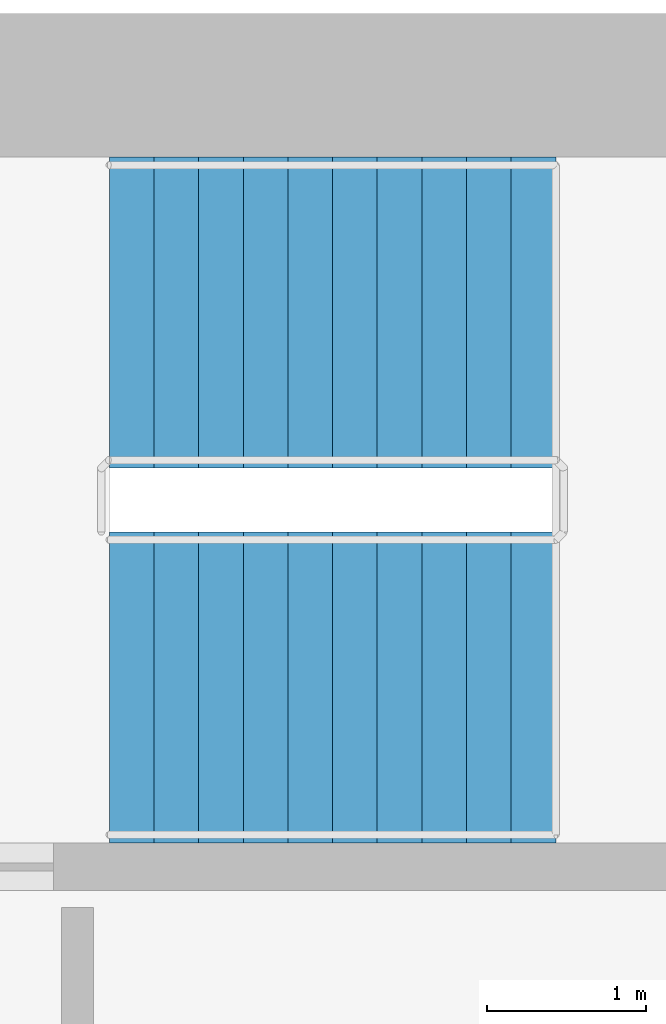
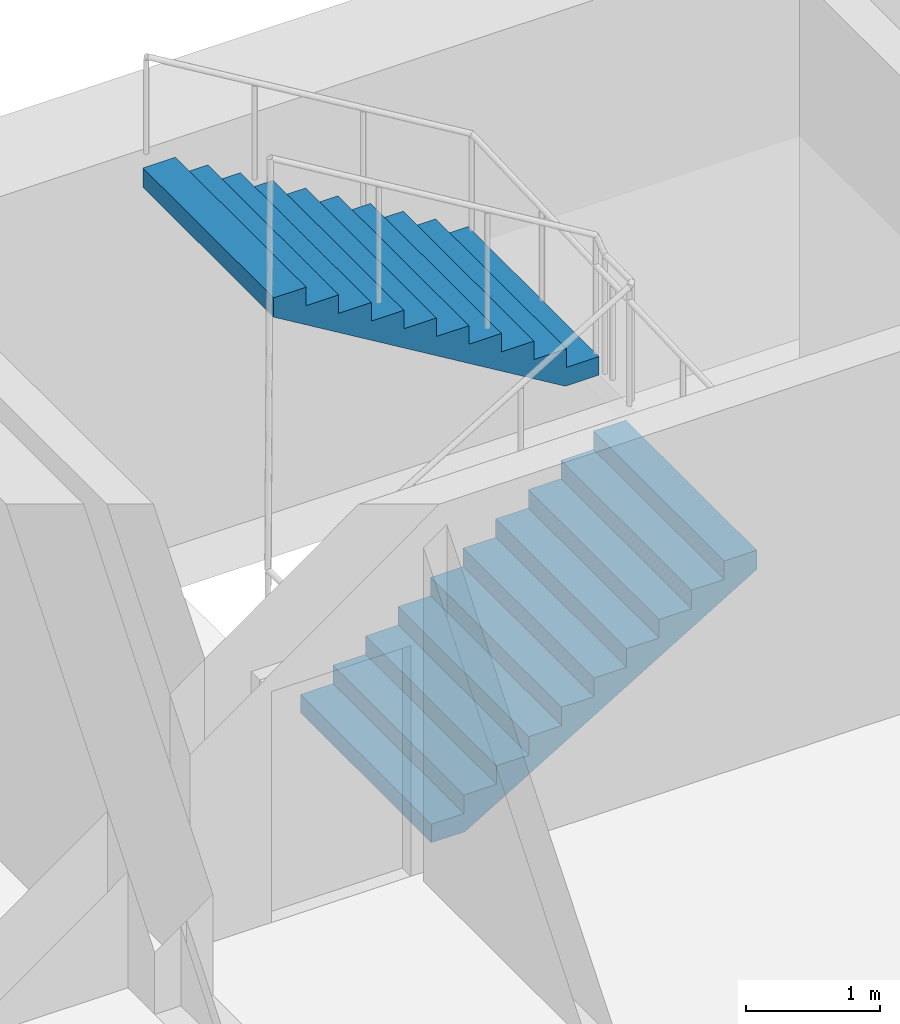
# One storey, part 13 of 18: 2 stair flights, 1 element without a shape of its own.
"""IFC4 building model written with IfcOpenShell, lengths in metres."""

from ifc_helpers import new_model, si_unit, direction, frame, origin, place, context, subcontext, project, spatial, polyline, outline, extrude, material, type_object, element, aggregate, save


model = new_model("IFC4")

# Units and contexts
model_context = context("Model", 3, precision=1e-05, world=origin(), true_north=direction((0.0, 1.0)))
body_context = subcontext(model_context, "Body", "Model", "MODEL_VIEW")
ifc_project = project(units=[si_unit("LENGTHUNIT", "METRE"), si_unit("AREAUNIT", "SQUARE_METRE"), si_unit("VOLUMEUNIT", "CUBIC_METRE"), si_unit("PLANEANGLEUNIT", "RADIAN"), si_unit("MASSUNIT", "GRAM", prefix="KILO")], contexts=[model_context])

# Site, building, storey
site_placement = place(None, origin())
site = spatial("IfcSite", under=ifc_project, at=site_placement, CompositionType="ELEMENT")
building_placement = place(site_placement, origin())
building = spatial("IfcBuilding", under=site, at=building_placement, Name="Hunhe Ridgeline Campus", CompositionType="ELEMENT")
storey_placement = place(building_placement, frame((0.0, 0.0, 182.800048828125)))
storey = spatial("IfcBuildingStorey", under=building, at=storey_placement, Name="L46", CompositionType="ELEMENT", Elevation=182.800048828125)

# Stair, stair flights
ifc_material = material(Name="Concrete C40", Category="concrete")
stair_type = type_object("IfcStairType", Name="Reinforced concrete dog-leg stair 1950 Concrete C40", PredefinedType="HALF_TURN_STAIR", material=ifc_material)
stair_placement = place(storey_placement, origin())
stair = element("IfcStair", 1, at=stair_placement, inside=storey, type_object=stair_type, Name="L46 E1", PredefinedType="HALF_TURN_STAIR")
stair_flight_type = type_object("IfcStairFlightType", Name="Reinforced concrete stair flight 1950 Concrete C40", PredefinedType="STRAIGHT", material=ifc_material)
stair_flight_1_placement = place(storey_placement, frame((38.39990234375, 94.77490234375, 0.0), z_axis=(0.0, 0.0, 1.0), x_axis=(1.0, 0.0, 0.0)))
stair_flight_1 = element("IfcStairFlight", 2, at=stair_flight_1_placement, type_object=stair_flight_type, Name="ST5 flight 1", NumberOfRisers=11, NumberOfTreads=10, PredefinedType="STRAIGHT", RiserHeight=0.168181818, TreadLength=0.28, context=body_context, shape_type="SweptSolid", body=[
    extrude(outline(polyline([(0.0, 0.0), (0.0, 0.168212890625), (0.280029296875, 0.168212890625), (0.280029296875, 0.33642578125), (0.56005859375, 0.33642578125), (0.56005859375, 0.504638671875), (0.840087890625, 0.504638671875), (0.840087890625, 0.672607421875), (1.1201171875, 0.672607421875), (1.1201171875, 0.8408203125), (1.39990234375, 0.8408203125), (1.39990234375, 1.009033203125), (1.679931640625, 1.009033203125), (1.679931640625, 1.17724609375), (1.9599609375, 1.17724609375), (1.9599609375, 1.345458984375), (2.239990234375, 1.345458984375), (2.239990234375, 1.513671875), (2.52001953125, 1.513671875), (2.52001953125, 1.681884765625), (2.800048828125, 1.681884765625), (2.800048828125, 1.85009765625), (2.800048828125, 1.5068359375), (0.291015625, 0.0), (0.0, 0.0)])), frame((0.0, 0.97509765625, 0.0), z_axis=(0.0, -1.0, 0.0), x_axis=(1.0, 0.0, 0.0)), (0.0, 0.0, 1.0), 1.949951171875),
    extrude(outline(polyline([(0.030029296875, 0.030029296875), (0.030029296875, 0.13818359375), (0.31005859375, 0.13818359375), (0.31005859375, 0.306396484375), (0.590087890625, 0.306396484375), (0.590087890625, 0.474609375), (0.8701171875, 0.474609375), (0.8701171875, 0.642578125), (1.14990234375, 0.642578125), (1.14990234375, 0.810791015625), (1.429931640625, 0.810791015625), (1.429931640625, 0.97900390625), (1.7099609375, 0.97900390625), (1.7099609375, 1.147216796875), (1.989990234375, 1.147216796875), (1.989990234375, 1.3154296875), (2.27001953125, 1.3154296875), (2.27001953125, 1.483642578125), (2.550048828125, 1.483642578125), (2.550048828125, 1.65185546875), (2.77001953125, 1.65185546875), (2.77001953125, 1.52392578125), (0.28271484375, 0.030029296875), (0.030029296875, 0.030029296875)])), frame((0.0, -0.070068359375, 0.0), z_axis=(0.0, -1.0, 0.0), x_axis=(1.0, 0.0, 0.0)), (0.0, 0.0, 1.0), 0.019775390625),
    extrude(outline(polyline([(0.030029296875, 0.030029296875), (0.030029296875, 0.13818359375), (0.31005859375, 0.13818359375), (0.31005859375, 0.306396484375), (0.590087890625, 0.306396484375), (0.590087890625, 0.474609375), (0.8701171875, 0.474609375), (0.8701171875, 0.642578125), (1.14990234375, 0.642578125), (1.14990234375, 0.810791015625), (1.429931640625, 0.810791015625), (1.429931640625, 0.97900390625), (1.7099609375, 0.97900390625), (1.7099609375, 1.147216796875), (1.989990234375, 1.147216796875), (1.989990234375, 1.3154296875), (2.27001953125, 1.3154296875), (2.27001953125, 1.483642578125), (2.550048828125, 1.483642578125), (2.550048828125, 1.65185546875), (2.77001953125, 1.65185546875), (2.77001953125, 1.52392578125), (0.28271484375, 0.030029296875), (0.030029296875, 0.030029296875)])), frame((0.0, 0.010009765625, 0.0), z_axis=(0.0, -1.0, 0.0), x_axis=(1.0, 0.0, 0.0)), (0.0, 0.0, 1.0), 0.019775390625),
    extrude(outline(polyline([(0.030029296875, 0.030029296875), (0.030029296875, 0.13818359375), (0.31005859375, 0.13818359375), (0.31005859375, 0.306396484375), (0.590087890625, 0.306396484375), (0.590087890625, 0.474609375), (0.8701171875, 0.474609375), (0.8701171875, 0.642578125), (1.14990234375, 0.642578125), (1.14990234375, 0.810791015625), (1.429931640625, 0.810791015625), (1.429931640625, 0.97900390625), (1.7099609375, 0.97900390625), (1.7099609375, 1.147216796875), (1.989990234375, 1.147216796875), (1.989990234375, 1.3154296875), (2.27001953125, 1.3154296875), (2.27001953125, 1.483642578125), (2.550048828125, 1.483642578125), (2.550048828125, 1.65185546875), (2.77001953125, 1.65185546875), (2.77001953125, 1.52392578125), (0.28271484375, 0.030029296875), (0.030029296875, 0.030029296875)])), frame((0.0, 0.090087890625, 0.0), z_axis=(0.0, -1.0, 0.0), x_axis=(1.0, 0.0, 0.0)), (0.0, 0.0, 1.0), 0.019775390625),
])
stair_flight_2_placement = place(storey_placement, frame((41.199951171875, 97.125, 1.849853515625), z_axis=(0.0, 0.0, 1.0), x_axis=(-1.0, 0.0, 0.0)))
stair_flight_2 = element("IfcStairFlight", 3, at=stair_flight_2_placement, type_object=stair_flight_type, Name="ST5 flight 2", NumberOfRisers=11, NumberOfTreads=10, PredefinedType="STRAIGHT", RiserHeight=0.168181818, TreadLength=0.28, context=body_context, shape_type="SweptSolid", body=[
    extrude(outline(polyline([(0.0, 0.0), (0.0, 0.168212890625), (0.280029296875, 0.168212890625), (0.280029296875, 0.33642578125), (0.56005859375, 0.33642578125), (0.56005859375, 0.504638671875), (0.840087890625, 0.504638671875), (0.840087890625, 0.672607421875), (1.1201171875, 0.672607421875), (1.1201171875, 0.8408203125), (1.39990234375, 0.8408203125), (1.39990234375, 1.009033203125), (1.679931640625, 1.009033203125), (1.679931640625, 1.17724609375), (1.9599609375, 1.17724609375), (1.9599609375, 1.345458984375), (2.239990234375, 1.345458984375), (2.239990234375, 1.513671875), (2.52001953125, 1.513671875), (2.52001953125, 1.681884765625), (2.800048828125, 1.681884765625), (2.800048828125, 1.85009765625), (2.800048828125, 1.5068359375), (0.291015625, 0.0), (0.0, 0.0)])), frame((0.0, 0.97509765625, 0.0), z_axis=(0.0, -1.0, 0.0), x_axis=(1.0, 0.0, 0.0)), (0.0, 0.0, 1.0), 1.949951171875),
    extrude(outline(polyline([(0.030029296875, 0.030029296875), (0.030029296875, 0.13818359375), (0.31005859375, 0.13818359375), (0.31005859375, 0.306396484375), (0.590087890625, 0.306396484375), (0.590087890625, 0.474609375), (0.8701171875, 0.474609375), (0.8701171875, 0.642578125), (1.14990234375, 0.642578125), (1.14990234375, 0.810791015625), (1.429931640625, 0.810791015625), (1.429931640625, 0.97900390625), (1.7099609375, 0.97900390625), (1.7099609375, 1.147216796875), (1.989990234375, 1.147216796875), (1.989990234375, 1.3154296875), (2.27001953125, 1.3154296875), (2.27001953125, 1.483642578125), (2.550048828125, 1.483642578125), (2.550048828125, 1.65185546875), (2.77001953125, 1.65185546875), (2.77001953125, 1.52392578125), (0.28271484375, 0.030029296875), (0.030029296875, 0.030029296875)])), frame((0.0, -0.070068359375, 0.0), z_axis=(0.0, -1.0, 0.0), x_axis=(1.0, 0.0, 0.0)), (0.0, 0.0, 1.0), 0.019775390625),
    extrude(outline(polyline([(0.030029296875, 0.030029296875), (0.030029296875, 0.13818359375), (0.31005859375, 0.13818359375), (0.31005859375, 0.306396484375), (0.590087890625, 0.306396484375), (0.590087890625, 0.474609375), (0.8701171875, 0.474609375), (0.8701171875, 0.642578125), (1.14990234375, 0.642578125), (1.14990234375, 0.810791015625), (1.429931640625, 0.810791015625), (1.429931640625, 0.97900390625), (1.7099609375, 0.97900390625), (1.7099609375, 1.147216796875), (1.989990234375, 1.147216796875), (1.989990234375, 1.3154296875), (2.27001953125, 1.3154296875), (2.27001953125, 1.483642578125), (2.550048828125, 1.483642578125), (2.550048828125, 1.65185546875), (2.77001953125, 1.65185546875), (2.77001953125, 1.52392578125), (0.28271484375, 0.030029296875), (0.030029296875, 0.030029296875)])), frame((0.0, 0.010009765625, 0.0), z_axis=(0.0, -1.0, 0.0), x_axis=(1.0, 0.0, 0.0)), (0.0, 0.0, 1.0), 0.019775390625),
    extrude(outline(polyline([(0.030029296875, 0.030029296875), (0.030029296875, 0.13818359375), (0.31005859375, 0.13818359375), (0.31005859375, 0.306396484375), (0.590087890625, 0.306396484375), (0.590087890625, 0.474609375), (0.8701171875, 0.474609375), (0.8701171875, 0.642578125), (1.14990234375, 0.642578125), (1.14990234375, 0.810791015625), (1.429931640625, 0.810791015625), (1.429931640625, 0.97900390625), (1.7099609375, 0.97900390625), (1.7099609375, 1.147216796875), (1.989990234375, 1.147216796875), (1.989990234375, 1.3154296875), (2.27001953125, 1.3154296875), (2.27001953125, 1.483642578125), (2.550048828125, 1.483642578125), (2.550048828125, 1.65185546875), (2.77001953125, 1.65185546875), (2.77001953125, 1.52392578125), (0.28271484375, 0.030029296875), (0.030029296875, 0.030029296875)])), frame((0.0, 0.090087890625, 0.0), z_axis=(0.0, -1.0, 0.0), x_axis=(1.0, 0.0, 0.0)), (0.0, 0.0, 1.0), 0.019775390625),
])
aggregate(stair, [stair_flight_1, stair_flight_2])

save(model, "model.ifc")
